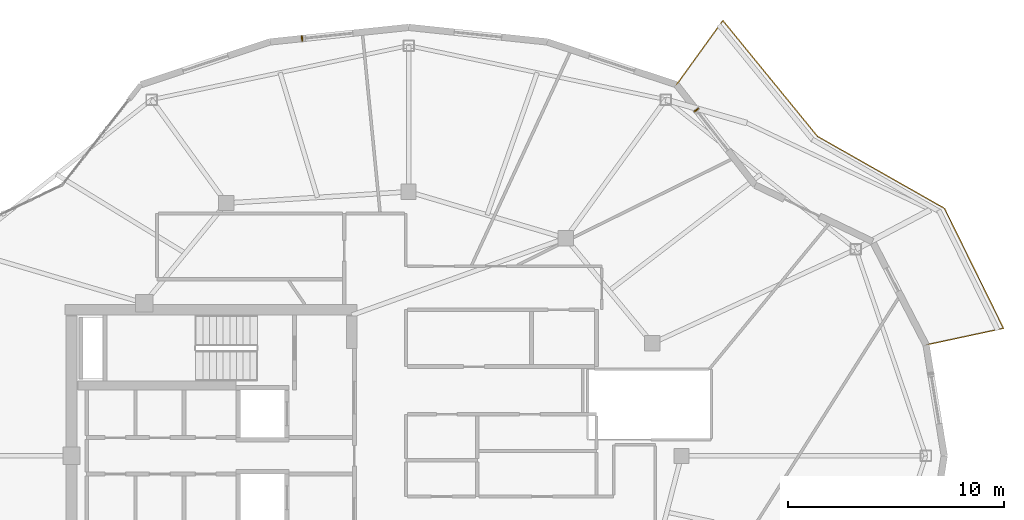
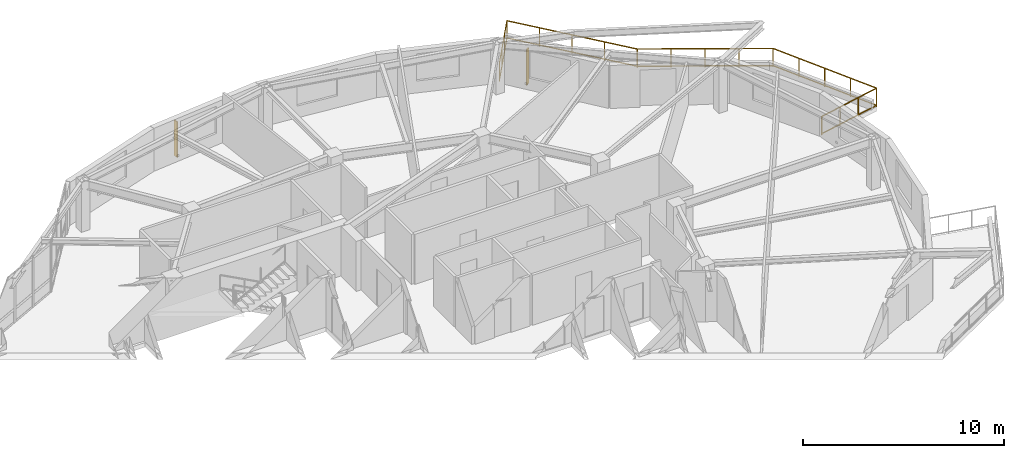
# One storey, part 14 of 14: 2 shading devices, 1 railing.
"""IFC4 building model written with IfcOpenShell, lengths in metres."""

from ifc_helpers import new_model, si_unit, direction, frame, origin, origin_2d, place, context, subcontext, project, spatial, rectangle, extrude, material, type_object, element, save


model = new_model("IFC4")

# Units and contexts
model_context = context("Model", 3, precision=1e-05, world=origin(), true_north=direction((0.0, 1.0)))
body_context = subcontext(model_context, "Body", "Model", "MODEL_VIEW")
ifc_project = project(units=[si_unit("LENGTHUNIT", "METRE"), si_unit("AREAUNIT", "SQUARE_METRE"), si_unit("VOLUMEUNIT", "CUBIC_METRE"), si_unit("PLANEANGLEUNIT", "RADIAN"), si_unit("MASSUNIT", "GRAM", prefix="KILO")], contexts=[model_context])

# Site, building, storey
site_placement = place(None, origin())
site = spatial("IfcSite", under=ifc_project, at=site_placement, CompositionType="ELEMENT")
building_placement = place(site_placement, origin())
building = spatial("IfcBuilding", under=site, at=building_placement, Name="Kolvaren Gate Tower and Convention Centre", CompositionType="ELEMENT")
storey_placement = place(building_placement, frame((0.0, 0.0, 206.300048828125)))
storey = spatial("IfcBuildingStorey", under=building, at=storey_placement, Name="L54", CompositionType="ELEMENT", Elevation=206.300048828125)

# Railing
ifc_material_1 = material(Name="Brushed Stainless Steel Grade 316L", Category="steel")
railing_type = type_object("IfcRailingType", Name="ARCH-RL-GUARD-1150", PredefinedType="GUARDRAIL", material=ifc_material_1)
railing_placement = place(storey_placement, frame((54.03173828125, 32.12451171875, 0.0)))
element("IfcRailing", 1, at=railing_placement, inside=storey, type_object=railing_type, Name="Tower L54 Terrace Perimeter Guardrail GR-1", PredefinedType="GUARDRAIL", context=body_context, shape_type="SweptSolid", body=[
    extrude(rectangle(XDim=0.048095703125, YDim=0.048095703125, at=origin_2d()), frame((0.02734375, 0.005859375, 1.1259765625), z_axis=(0.977788745232, 0.209592866525, 0.0), x_axis=(-0.209592866525, 0.977788745232, 0.0)), (0.0, 0.0, 1.0), 3.603759765625),
    extrude(rectangle(XDim=0.048095703125, YDim=0.048095703125, at=origin_2d()), frame((0.02734375, 0.005859375, 0.083984375), z_axis=(0.977788745232, 0.209592866525, 0.0), x_axis=(-0.209592866525, 0.977788745232, 0.0)), (0.0, 0.0, 1.0), 3.603759765625),
    extrude(rectangle(XDim=0.048095703125, YDim=0.048095703125, at=origin_2d()), frame((3.566162109375, 0.792236328125, 1.1259765625), z_axis=(-0.441625304244, 0.897199582396, 0.0), x_axis=(-0.897199582396, -0.441625304244, 0.0)), (0.0, 0.0, 1.0), 6.122314453125),
    extrude(rectangle(XDim=0.048095703125, YDim=0.048095703125, at=origin_2d()), frame((3.566162109375, 0.792236328125, 0.083984375), z_axis=(-0.441625304244, 0.897199582396, 0.0), x_axis=(-0.897199582396, -0.441625304244, 0.0)), (0.0, 0.0, 1.0), 6.122314453125),
    extrude(rectangle(XDim=0.048095703125, YDim=0.048095703125, at=origin_2d()), frame((0.82568359375, 6.32421875, 1.1259765625), z_axis=(-0.869876155964, 0.493270182846, 0.0), x_axis=(-0.493270182846, -0.869876155964, 0.0)), (0.0, 0.0, 1.0), 6.6865234375),
    extrude(rectangle(XDim=0.048095703125, YDim=0.048095703125, at=origin_2d()), frame((0.82568359375, 6.32421875, 0.083984375), z_axis=(-0.869876155964, 0.493270182846, 0.0), x_axis=(-0.493270182846, -0.869876155964, 0.0)), (0.0, 0.0, 1.0), 6.6865234375),
    extrude(rectangle(XDim=0.048095703125, YDim=0.048095703125, at=origin_2d()), frame((-5.032958984375, 9.657958984375, 1.1259765625), z_axis=(-0.632718487063, 0.77438189295, 0.0), x_axis=(-0.77438189295, -0.632718487063, 0.0)), (0.0, 0.0, 1.0), 6.858154296875),
    extrude(rectangle(XDim=0.048095703125, YDim=0.048095703125, at=origin_2d()), frame((-5.032958984375, 9.657958984375, 0.083984375), z_axis=(-0.632718487063, 0.77438189295, 0.0), x_axis=(-0.77438189295, -0.632718487063, 0.0)), (0.0, 0.0, 1.0), 6.858154296875),
    extrude(rectangle(XDim=0.048095703125, YDim=0.048095703125, at=origin_2d()), frame((-9.40625, 14.9677734375, 1.1259765625), z_axis=(-0.585212870465, -0.810879705161, 0.0), x_axis=(0.810879705161, -0.585212870465, 0.0)), (0.0, 0.0, 1.0), 3.603759765625),
    extrude(rectangle(XDim=0.048095703125, YDim=0.048095703125, at=origin_2d()), frame((-9.40625, 14.9677734375, 0.083984375), z_axis=(-0.585212870465, -0.810879705161, 0.0), x_axis=(0.810879705161, -0.585212870465, 0.0)), (0.0, 0.0, 1.0), 3.603759765625),
    extrude(rectangle(XDim=0.0419921875, YDim=0.0419921875, at=origin_2d()), origin(), (0.0, 0.0, 1.0), 1.14990234375),
    extrude(rectangle(XDim=0.0419921875, YDim=0.0419921875, at=origin_2d()), frame((3.57861328125, 0.76708984375, 0.0)), (0.0, 0.0, 1.0), 1.14990234375),
    extrude(rectangle(XDim=0.0419921875, YDim=0.0419921875, at=origin_2d()), frame((1.19287109375, 0.255615234375, 0.0)), (0.0, 0.0, 1.0), 1.099853515625),
    extrude(rectangle(XDim=0.0419921875, YDim=0.0419921875, at=origin_2d()), frame((2.3857421875, 0.511474609375, 0.0)), (0.0, 0.0, 1.0), 1.099853515625),
    extrude(rectangle(XDim=0.0419921875, YDim=0.0419921875, at=origin_2d()), frame((0.85009765625, 6.310302734375, 0.0)), (0.0, 0.0, 1.0), 1.14990234375),
    extrude(rectangle(XDim=0.0419921875, YDim=0.0419921875, at=origin_2d()), frame((2.896484375, 2.15283203125, 0.0)), (0.0, 0.0, 1.0), 1.099853515625),
    extrude(rectangle(XDim=0.0419921875, YDim=0.0419921875, at=origin_2d()), frame((2.21435546875, 3.53857421875, 0.0)), (0.0, 0.0, 1.0), 1.099853515625),
    extrude(rectangle(XDim=0.0419921875, YDim=0.0419921875, at=origin_2d()), frame((1.5322265625, 4.924560546875, 0.0)), (0.0, 0.0, 1.0), 1.099853515625),
    extrude(rectangle(XDim=0.0419921875, YDim=0.0419921875, at=origin_2d()), frame((-5.01513671875, 9.63623046875, 0.0)), (0.0, 0.0, 1.0), 1.14990234375),
    extrude(rectangle(XDim=0.0419921875, YDim=0.0419921875, at=origin_2d()), frame((-0.6162109375, 7.141845703125, 0.0)), (0.0, 0.0, 1.0), 1.099853515625),
    extrude(rectangle(XDim=0.0419921875, YDim=0.0419921875, at=origin_2d()), frame((-2.08251953125, 7.97314453125, 0.0)), (0.0, 0.0, 1.0), 1.099853515625),
    extrude(rectangle(XDim=0.0419921875, YDim=0.0419921875, at=origin_2d()), frame((-3.548828125, 8.8046875, 0.0)), (0.0, 0.0, 1.0), 1.099853515625),
    extrude(rectangle(XDim=0.0419921875, YDim=0.0419921875, at=origin_2d()), frame((-9.389892578125, 14.990478515625, 0.0)), (0.0, 0.0, 1.0), 1.14990234375),
    extrude(rectangle(XDim=0.0419921875, YDim=0.0419921875, at=origin_2d()), frame((-6.10888671875, 10.974853515625, 0.0)), (0.0, 0.0, 1.0), 1.099853515625),
    extrude(rectangle(XDim=0.0419921875, YDim=0.0419921875, at=origin_2d()), frame((-7.20263671875, 12.3134765625, 0.0)), (0.0, 0.0, 1.0), 1.099853515625),
    extrude(rectangle(XDim=0.0419921875, YDim=0.0419921875, at=origin_2d()), frame((-8.296142578125, 13.65185546875, 0.0)), (0.0, 0.0, 1.0), 1.099853515625),
    extrude(rectangle(XDim=0.0419921875, YDim=0.0419921875, at=origin_2d()), frame((-11.53173828125, 12.022705078125, 0.0)), (0.0, 0.0, 1.0), 1.14990234375),
    extrude(rectangle(XDim=0.0419921875, YDim=0.0419921875, at=origin_2d()), frame((-10.103759765625, 14.001220703125, 0.0)), (0.0, 0.0, 1.0), 1.099853515625),
    extrude(rectangle(XDim=0.0419921875, YDim=0.0419921875, at=origin_2d()), frame((-10.81787109375, 13.011962890625, 0.0)), (0.0, 0.0, 1.0), 1.099853515625),
])

# Shading devices
ifc_material_2 = material(Name="Kiln-Fired Bogota Terracotta Ceramic Louvre Profile", Category="masonry")
shading_device_type = type_object("IfcShadingDeviceType", Name="ARCH-SHD-FIN-180", PredefinedType="JALOUSIE", material=ifc_material_2)
for number, where, z_axis, x_axis, name in (
    (2, (43.41845703125, 42.97412109375, 0.219970703125), (0.0, 0.0, 1.0), (0.616434119112, -0.787406487651, 0.0), "Ceramic Vertical Brise-Soleil Fin FN-L54-03"),
    (3, (25.200927734375, 46.281494140625, 0.219970703125), (0.0, 0.0, 1.0), (0.994498884311, 0.104747167526, 0.0), "Ceramic Vertical Brise-Soleil Fin FN-L54-06"),
):
    element("IfcShadingDevice", number, at=place(storey_placement, frame(where, z_axis=z_axis, x_axis=x_axis)), inside=storey, type_object=shading_device_type, Name=name, PredefinedType="JALOUSIE", context=body_context, shape_type="SweptSolid", body=[
        extrude(rectangle(XDim=0.06005859375, YDim=0.239990234375, at=origin_2d()), origin(), (0.0, 0.0, 1.0), 2.14990234375),
    ])

save(model, "model.ifc")
